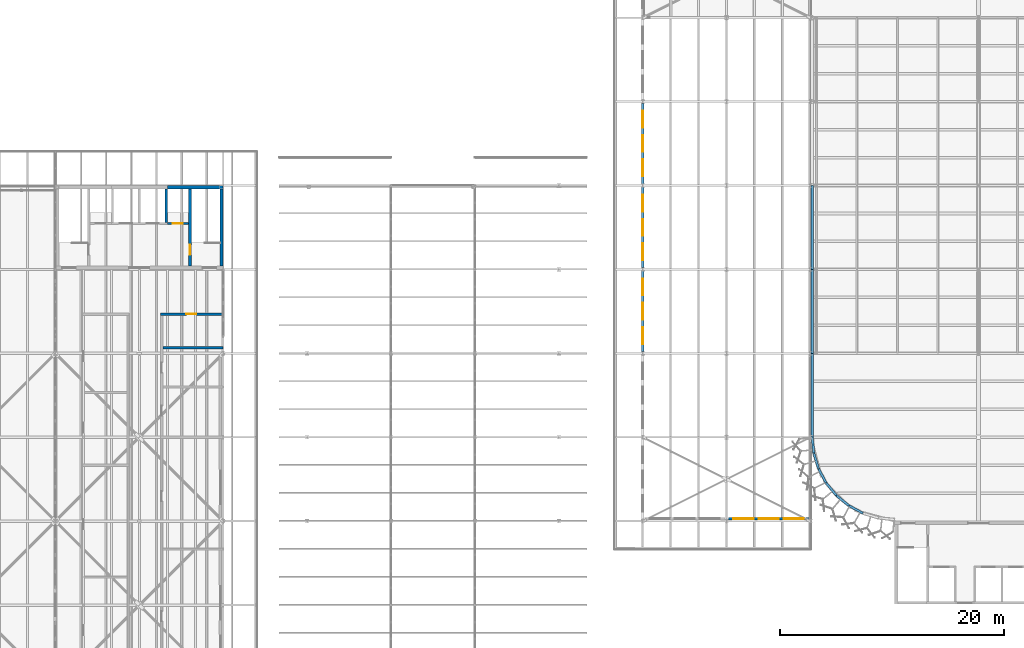
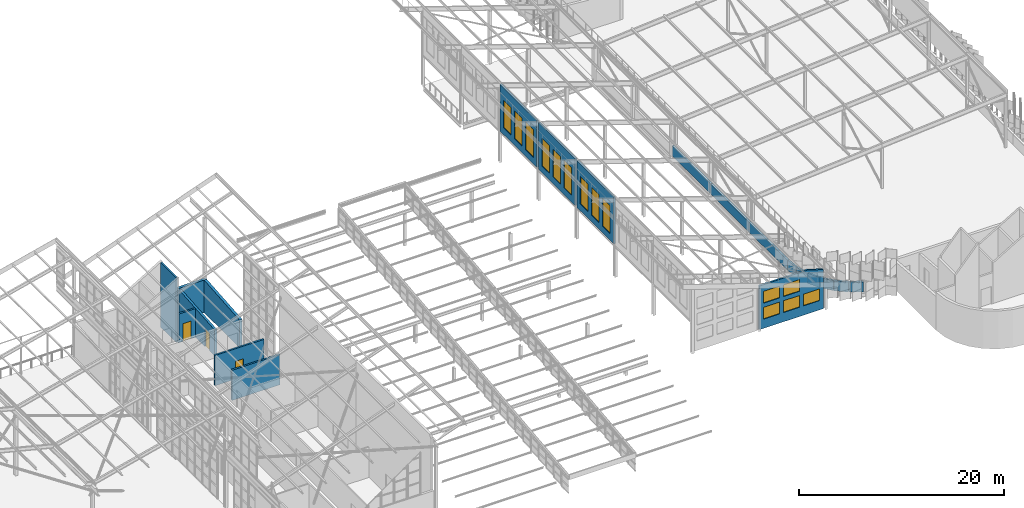
# One storey, part 121 of 483: 20 walls, 14 windows, 3 doors, 17 openings.
"""IFC4 building model written with IfcOpenShell, lengths in metres."""

from ifc_helpers import new_model, si_unit, direction, frame, frame_2d, origin, place, context, subcontext, project, spatial, polyline, rectangle, outline, extrude, material, layer, layer_set, type_object, element, fill, save


model = new_model("IFC4")

# Units and contexts
model_context = context("Model", 3, precision=1e-05, world=origin(), true_north=direction((0.0, 1.0)))
body_context = subcontext(model_context, "Body", "Model", "MODEL_VIEW")
ifc_project = project(units=[si_unit("LENGTHUNIT", "METRE"), si_unit("AREAUNIT", "SQUARE_METRE"), si_unit("VOLUMEUNIT", "CUBIC_METRE"), si_unit("PLANEANGLEUNIT", "RADIAN"), si_unit("MASSUNIT", "GRAM", prefix="KILO")], contexts=[model_context])

# Site, building, storey
site_placement = place(None, origin())
site = spatial("IfcSite", under=ifc_project, at=site_placement, CompositionType="ELEMENT")
building_placement = place(site_placement, origin())
building = spatial("IfcBuilding", under=site, at=building_placement, Name="Parallax Yard Mobility Hub", CompositionType="ELEMENT")
storey_placement = place(building_placement, frame((0.0, 0.0, 13.199951171875)))
storey = spatial("IfcBuildingStorey", under=building, at=storey_placement, Name="L04", CompositionType="ELEMENT", Elevation=13.199951171875)

# Walls
ifc_material_1 = material(Name="Concrete fc' 35 MPa", Category="concrete")
ifc_layer_1 = layer(ifc_material_1, 0.300048828125)
ifc_layer_set_1 = layer_set([ifc_layer_1], Name="Concrete fc' 35 MPa core wall 300")
wall_type_1 = type_object("IfcWallType", Name="Concrete fc' 35 MPa core wall 300", PredefinedType="SHEAR", material=ifc_layer_set_1)
wall_1_placement = place(storey_placement, frame((137.5, 52.35009765625, 0.0), z_axis=(0.0, 0.0, 1.0), x_axis=(1.0, 0.0, 0.0)))
element("IfcWall", 1, at=wall_1_placement, inside=storey, type_object=wall_type_1, Name="Core C6-E back wall part 3 level L04", PredefinedType="SHEAR", context=body_context, shape_type="SweptSolid", body=[
    extrude(rectangle(XDim=5.0, YDim=0.300048828125, at=frame_2d((2.5, 0.0))), origin(), (0.0, 0.0, 1.0), 3.875),
])
wall_2_placement = place(storey_placement, frame((142.35009765625, 52.199951171875, 0.0), z_axis=(0.0, 0.0, 1.0), x_axis=(0.0, -1.0, 0.0)))
element("IfcWall", 2, at=wall_2_placement, inside=storey, type_object=wall_type_1, Name="Core C6-E east-side end wall level L04", PredefinedType="SHEAR", context=body_context, shape_type="SweptSolid", body=[
    extrude(outline(polyline([(0.0, 0.0), (6.89990234375, 0.0), (6.89990234375, 3.300048828125), (0.0, 3.875), (0.0, 0.0)])), frame((0.0, 0.14990234375, 0.0), z_axis=(0.0, -1.0, 0.0), x_axis=(1.0, 0.0, 0.0)), (0.0, 0.0, 1.0), 0.300048828125),
])

# Wall, opening, door
ifc_layer_2 = layer(ifc_material_1, 0.199951171875)
ifc_layer_set_2 = layer_set([ifc_layer_2], Name="Concrete fc' 35 MPa internal core wall 200")
wall_type_2 = type_object("IfcWallType", Name="Concrete fc' 35 MPa internal core wall 200", PredefinedType="STANDARD", material=ifc_layer_set_2)
wall_3_placement = place(storey_placement, frame((139.39990234375, 49.10009765625, 0.0), z_axis=(0.0, 0.0, 1.0), x_axis=(-1.0, 0.0, 0.0)))
wall_3 = element("IfcWall", 3, at=wall_3_placement, inside=storey, type_object=wall_type_2, Name="Core C6-E lift front 3 part 3 level L04", PredefinedType="STANDARD", context=body_context, shape_type="SweptSolid", body=[
    extrude(rectangle(XDim=1.89990234375, YDim=0.199951171875, at=frame_2d((0.949951171875, 0.0))), origin(), (0.0, 0.0, 1.0), 3.416748046875),
])
opening_1_placement = place(wall_3_placement, frame((0.5, 0.0, 0.0)))
opening_1 = element("IfcOpeningElement", 4, at=opening_1_placement, cuts=wall_3, Name="Opening L04-D750", PredefinedType="OPENING", context=body_context, shape_type="SweptSolid", body=[
    extrude(rectangle(XDim=0.89990234375, YDim=2.10009765625, at=frame_2d((0.449951171875, 1.050048828125))), frame((0.0, 0.10986328125, 0.0), z_axis=(0.0, -1.0, 0.0), x_axis=(1.0, 0.0, 0.0)), (0.0, 0.0, 1.0), 0.219970703125),
])
ifc_material_2 = material(Name="Hollow metal steel door and frame", Category="steel")
door_type_1 = type_object("IfcDoorType", Name="Riser door 900 x 2100 FD90", OperationType="NOTDEFINED", PredefinedType="DOOR", material=ifc_material_2)
door_1_placement = place(opening_1_placement, origin())
door_1 = element("IfcDoor", 5, at=door_1_placement, inside=storey, type_object=door_type_1, Name="Riser door L04-D750, core C6-E level L04", OperationType="SINGLE_SWING_LEFT", OverallHeight=2.10009765625, OverallWidth=0.89990234375, PredefinedType="DOOR", context=body_context, shape_type="SweptSolid", body=[
    extrude(rectangle(XDim=0.89990234375, YDim=2.10009765625, at=frame_2d((0.449951171875, 1.050048828125))), frame((0.0, 0.02490234375, 0.0), z_axis=(0.0, -1.0, 0.0), x_axis=(1.0, 0.0, 0.0)), (0.0, 0.0, 1.0), 0.050048828125),
])
fill(opening_1, door_1)

# Wall
wall_4_placement = place(storey_placement, frame((137.39990234375, 49.199951171875, 0.0), z_axis=(0.0, 0.0, 1.0), x_axis=(0.0, 1.0, 0.0)))
element("IfcWall", 6, at=wall_4_placement, inside=storey, type_object=wall_type_2, Name="Core C6-E lift wall 3 part 3 level L04", PredefinedType="STANDARD", context=body_context, shape_type="SweptSolid", body=[
    extrude(rectangle(XDim=3.0, YDim=0.199951171875, at=frame_2d((1.5, 0.0))), origin(), (0.0, 0.0, 1.0), 7.679931640625),
])

# Wall, opening, door
ifc_layer_3 = layer(ifc_material_1, 0.25)
ifc_layer_set_3 = layer_set([ifc_layer_3], Name="Concrete fc' 35 MPa stair enclosure wall 250")
wall_type_3 = type_object("IfcWallType", Name="Concrete fc' 35 MPa stair enclosure wall 250", PredefinedType="STANDARD", material=ifc_layer_set_3)
wall_5_placement = place(storey_placement, frame((139.52490234375, 52.199951171875, 0.0), z_axis=(0.0, 0.0, 1.0), x_axis=(0.0, -1.0, 0.0)))
wall_5 = element("IfcWall", 7, at=wall_5_placement, inside=storey, type_object=wall_type_3, Name="Core C6-E stair 2 partition level L04", PredefinedType="STANDARD", context=body_context, shape_type="SweptSolid", body=[
    extrude(outline(polyline([(0.0, 0.0), (6.89990234375, 0.0), (6.89990234375, 3.10009765625), (0.0, 3.675048828125), (0.0, 0.0)])), frame((0.0, 0.125, 0.0), z_axis=(0.0, -1.0, 0.0), x_axis=(1.0, 0.0, 0.0)), (0.0, 0.0, 1.0), 0.25),
])
opening_2_placement = place(wall_5_placement, frame((5.0, 0.0, 0.0)))
opening_2 = element("IfcOpeningElement", 8, at=opening_2_placement, cuts=wall_5, Name="Opening L04-D746", PredefinedType="OPENING", context=body_context, shape_type="SweptSolid", body=[
    extrude(rectangle(XDim=0.89990234375, YDim=2.10009765625, at=frame_2d((0.449951171875, 1.050048828125))), frame((0.0, 0.135009765625, 0.0), z_axis=(0.0, -1.0, 0.0), x_axis=(1.0, 0.0, 0.0)), (0.0, 0.0, 1.0), 0.27001953125),
])
door_type_2 = type_object("IfcDoorType", Name="Core door 900 x 2100 FD90", OperationType="NOTDEFINED", PredefinedType="DOOR", material=ifc_material_2)
door_2_placement = place(opening_2_placement, origin())
door_2 = element("IfcDoor", 9, at=door_2_placement, inside=storey, type_object=door_type_2, Name="Stair lobby door L04-D746, core C6-E level L04", OperationType="SINGLE_SWING_RIGHT", OverallHeight=2.10009765625, OverallWidth=0.89990234375, PredefinedType="DOOR", context=body_context, shape_type="SweptSolid", body=[
    extrude(rectangle(XDim=0.89990234375, YDim=2.10009765625, at=frame_2d((0.449951171875, 1.050048828125))), frame((0.0, 0.02490234375, 0.0), z_axis=(0.0, -1.0, 0.0), x_axis=(1.0, 0.0, 0.0)), (0.0, 0.0, 1.0), 0.050048828125),
])
fill(opening_2, door_2)

# Wall
ifc_material_3 = material(Name="Fire-rated plasterboard partition, two layers each side")
ifc_layer_4 = layer(ifc_material_3, 0.199951171875)
ifc_layer_set_4 = layer_set([ifc_layer_4], Name="Fire-rated partition 200 mm")
wall_type_4 = type_object("IfcWallType", Name="Fire-rated partition 200 mm", PredefinedType="PARTITIONING", material=ifc_layer_set_4)
wall_6_placement = place(storey_placement, frame((137.10009765625, 38.0, 0.0), z_axis=(0.0, 0.0, 1.0), x_axis=(1.0, 0.0, 0.0)))
element("IfcWall", 10, at=wall_6_placement, inside=storey, type_object=wall_type_4, Name="Partition 7 level L04", PredefinedType="PARTITIONING", context=body_context, shape_type="SweptSolid", body=[
    extrude(rectangle(XDim=5.39990234375, YDim=0.199951171875, at=frame_2d((2.699951171875, 0.0))), origin(), (0.0, 0.0, 1.0), 3.60009765625),
])

# Wall, opening, door
wall_7_placement = place(storey_placement, frame((136.89990234375, 41.0, 0.0), z_axis=(0.0, 0.0, 1.0), x_axis=(1.0, 0.0, 0.0)))
wall_7 = element("IfcWall", 11, at=wall_7_placement, inside=storey, type_object=wall_type_4, Name="Partition 9 level L04", PredefinedType="PARTITIONING", context=body_context, shape_type="SweptSolid", body=[
    extrude(rectangle(XDim=5.525146484375, YDim=0.199951171875, at=frame_2d((2.7626953125, 0.0))), origin(), (0.0, 0.0, 1.0), 3.60009765625),
])
opening_3_placement = place(wall_7_placement, frame((2.300048828125, 0.0, 0.0)))
opening_3 = element("IfcOpeningElement", 12, at=opening_3_placement, cuts=wall_7, Name="Opening L04-D208", PredefinedType="OPENING", context=body_context, shape_type="SweptSolid", body=[
    extrude(rectangle(XDim=0.89990234375, YDim=2.10009765625, at=frame_2d((0.449951171875, 1.050048828125))), frame((0.0, 0.10986328125, 0.0), z_axis=(0.0, -1.0, 0.0), x_axis=(1.0, 0.0, 0.0)), (0.0, 0.0, 1.0), 0.219970703125),
])
ifc_material_4 = material(Name="Hollow metal fire door leaf with intumescent seals")
door_type_3 = type_object("IfcDoorType", Name="Fire door 900 mm FD60", OperationType="NOTDEFINED", PredefinedType="DOOR", material=ifc_material_4)
door_3_placement = place(opening_3_placement, origin())
door_3 = element("IfcDoor", 13, at=door_3_placement, inside=storey, type_object=door_type_3, Name="Door L04-D208 Accessible WC", OperationType="SINGLE_SWING_LEFT", OverallHeight=2.10009765625, OverallWidth=0.89990234375, PredefinedType="DOOR", context=body_context, shape_type="SweptSolid", body=[
    extrude(rectangle(XDim=0.89990234375, YDim=2.10009765625, at=frame_2d((0.449951171875, 1.050048828125))), frame((0.0, 0.02490234375, 0.0), z_axis=(0.0, -1.0, 0.0), x_axis=(1.0, 0.0, 0.0)), (0.0, 0.0, 1.0), 0.050048828125),
])
fill(opening_3, door_3)

# Wall, openings, windows
ifc_layer_5 = layer(ifc_material_1, 0.199951171875)
ifc_layer_set_5 = layer_set([ifc_layer_5], Name="Louvre screen wall, Concrete fc' 35 MPa precast, 200")
wall_type_5 = type_object("IfcWallType", Name="Louvre screen wall, Concrete fc' 35 MPa precast, 200", PredefinedType="SOLIDWALL", material=ifc_layer_set_5)
wall_8_placement = place(storey_placement, frame((180.0, 37.653564453125, 3.800048828125), z_axis=(0.0, 0.0, 1.0), x_axis=(0.0, 1.0, 0.0)))
wall_8 = element("IfcWall", 14, at=wall_8_placement, inside=storey, type_object=wall_type_5, Name="Ramp house west clerestory louvre band bay 3 level L04", PredefinedType="SOLIDWALL", context=body_context, shape_type="SweptSolid", body=[
    extrude(rectangle(XDim=7.19287109375, YDim=0.199951171875, at=frame_2d((3.596435546875, 0.0))), origin(), (0.0, 0.0, 1.0), 5.57421875),
])
opening_4_placement = place(wall_8_placement, frame((0.673095703125, 0.0, 0.800048828125)))
opening_4 = element("IfcOpeningElement", 15, at=opening_4_placement, cuts=wall_8, Name="Opening LV1", PredefinedType="OPENING", context=body_context, shape_type="SweptSolid", body=[
    extrude(rectangle(XDim=1.5, YDim=3.300048828125, at=frame_2d((0.75, 1.64990234375))), frame((0.0, 0.10986328125, 0.0), z_axis=(0.0, -1.0, 0.0), x_axis=(1.0, 0.0, 0.0)), (0.0, 0.0, 1.0), 0.219970703125),
])
opening_5_placement = place(wall_8_placement, frame((2.846435546875, 0.0, 0.800048828125)))
opening_5 = element("IfcOpeningElement", 16, at=opening_5_placement, cuts=wall_8, Name="Opening LV1", PredefinedType="OPENING", context=body_context, shape_type="SweptSolid", body=[
    extrude(rectangle(XDim=1.5, YDim=3.300048828125, at=frame_2d((0.75, 1.64990234375))), frame((0.0, 0.10986328125, 0.0), z_axis=(0.0, -1.0, 0.0), x_axis=(1.0, 0.0, 0.0)), (0.0, 0.0, 1.0), 0.219970703125),
])
opening_6_placement = place(wall_8_placement, frame((5.019775390625, 0.0, 0.800048828125)))
opening_6 = element("IfcOpeningElement", 17, at=opening_6_placement, cuts=wall_8, Name="Opening LV1", PredefinedType="OPENING", context=body_context, shape_type="SweptSolid", body=[
    extrude(rectangle(XDim=1.5, YDim=3.300048828125, at=frame_2d((0.75, 1.64990234375))), frame((0.0, 0.10986328125, 0.0), z_axis=(0.0, -1.0, 0.0), x_axis=(1.0, 0.0, 0.0)), (0.0, 0.0, 1.0), 0.219970703125),
])
ifc_material_5 = material(Name="Extruded aluminium storm louvre blades in a powder-coated frame", Category="aluminium")
window_type_1 = type_object("IfcWindowType", Name="Storm louvre 1500 x 3300", PartitioningType="SINGLE_PANEL", PredefinedType="WINDOW", material=ifc_material_5)
window_1_placement = place(opening_4_placement, origin())
window_1 = element("IfcWindow", 18, at=window_1_placement, inside=storey, type_object=window_type_1, Name="LV1 louvre level L04", OverallHeight=3.300048828125, OverallWidth=1.5, PartitioningType="SINGLE_PANEL", PredefinedType="WINDOW", context=body_context, shape_type="SweptSolid", body=[
    extrude(rectangle(XDim=1.5, YDim=3.300048828125, at=frame_2d((0.75, 1.64990234375))), frame((0.0, 0.030029296875, 0.0), z_axis=(0.0, -1.0, 0.0), x_axis=(1.0, 0.0, 0.0)), (0.0, 0.0, 1.0), 0.06005859375),
])
fill(opening_4, window_1)
window_2_placement = place(opening_5_placement, origin())
window_2 = element("IfcWindow", 19, at=window_2_placement, inside=storey, type_object=window_type_1, Name="LV1 louvre level L04", OverallHeight=3.300048828125, OverallWidth=1.5, PartitioningType="SINGLE_PANEL", PredefinedType="WINDOW", context=body_context, shape_type="SweptSolid", body=[
    extrude(rectangle(XDim=1.5, YDim=3.300048828125, at=frame_2d((0.75, 1.64990234375))), frame((0.0, 0.030029296875, 0.0), z_axis=(0.0, -1.0, 0.0), x_axis=(1.0, 0.0, 0.0)), (0.0, 0.0, 1.0), 0.06005859375),
])
fill(opening_5, window_2)
window_3_placement = place(opening_6_placement, origin())
window_3 = element("IfcWindow", 20, at=window_3_placement, inside=storey, type_object=window_type_1, Name="LV1 louvre level L04", OverallHeight=3.300048828125, OverallWidth=1.5, PartitioningType="SINGLE_PANEL", PredefinedType="WINDOW", context=body_context, shape_type="SweptSolid", body=[
    extrude(rectangle(XDim=1.5, YDim=3.300048828125, at=frame_2d((0.75, 1.64990234375))), frame((0.0, 0.030029296875, 0.0), z_axis=(0.0, -1.0, 0.0), x_axis=(1.0, 0.0, 0.0)), (0.0, 0.0, 1.0), 0.06005859375),
])
fill(opening_6, window_3)

wall_9_placement = place(storey_placement, frame((180.0, 45.153564453125, 3.800048828125), z_axis=(0.0, 0.0, 1.0), x_axis=(0.0, 1.0, 0.0)))
wall_9 = element("IfcWall", 21, at=wall_9_placement, inside=storey, type_object=wall_type_5, Name="Ramp house west clerestory louvre band bay 4 level L04", PredefinedType="SOLIDWALL", context=body_context, shape_type="SweptSolid", body=[
    extrude(rectangle(XDim=7.19287109375, YDim=0.199951171875, at=frame_2d((3.596435546875, 0.0))), origin(), (0.0, 0.0, 1.0), 5.57421875),
])
opening_7_placement = place(wall_9_placement, frame((0.673095703125, 0.0, 0.800048828125)))
opening_7 = element("IfcOpeningElement", 22, at=opening_7_placement, cuts=wall_9, Name="Opening LV1", PredefinedType="OPENING", context=body_context, shape_type="SweptSolid", body=[
    extrude(rectangle(XDim=1.5, YDim=3.300048828125, at=frame_2d((0.75, 1.64990234375))), frame((0.0, 0.10986328125, 0.0), z_axis=(0.0, -1.0, 0.0), x_axis=(1.0, 0.0, 0.0)), (0.0, 0.0, 1.0), 0.219970703125),
])
opening_8_placement = place(wall_9_placement, frame((2.846435546875, 0.0, 0.800048828125)))
opening_8 = element("IfcOpeningElement", 23, at=opening_8_placement, cuts=wall_9, Name="Opening LV1", PredefinedType="OPENING", context=body_context, shape_type="SweptSolid", body=[
    extrude(rectangle(XDim=1.5, YDim=3.300048828125, at=frame_2d((0.75, 1.64990234375))), frame((0.0, 0.10986328125, 0.0), z_axis=(0.0, -1.0, 0.0), x_axis=(1.0, 0.0, 0.0)), (0.0, 0.0, 1.0), 0.219970703125),
])
opening_9_placement = place(wall_9_placement, frame((5.019775390625, 0.0, 0.800048828125)))
opening_9 = element("IfcOpeningElement", 24, at=opening_9_placement, cuts=wall_9, Name="Opening LV1", PredefinedType="OPENING", context=body_context, shape_type="SweptSolid", body=[
    extrude(rectangle(XDim=1.5, YDim=3.300048828125, at=frame_2d((0.75, 1.64990234375))), frame((0.0, 0.10986328125, 0.0), z_axis=(0.0, -1.0, 0.0), x_axis=(1.0, 0.0, 0.0)), (0.0, 0.0, 1.0), 0.219970703125),
])
window_4_placement = place(opening_7_placement, origin())
window_4 = element("IfcWindow", 25, at=window_4_placement, inside=storey, type_object=window_type_1, Name="LV1 louvre level L04", OverallHeight=3.300048828125, OverallWidth=1.5, PartitioningType="SINGLE_PANEL", PredefinedType="WINDOW", context=body_context, shape_type="SweptSolid", body=[
    extrude(rectangle(XDim=1.5, YDim=3.300048828125, at=frame_2d((0.75, 1.64990234375))), frame((0.0, 0.030029296875, 0.0), z_axis=(0.0, -1.0, 0.0), x_axis=(1.0, 0.0, 0.0)), (0.0, 0.0, 1.0), 0.06005859375),
])
fill(opening_7, window_4)
window_5_placement = place(opening_8_placement, origin())
window_5 = element("IfcWindow", 26, at=window_5_placement, inside=storey, type_object=window_type_1, Name="LV1 louvre level L04", OverallHeight=3.300048828125, OverallWidth=1.5, PartitioningType="SINGLE_PANEL", PredefinedType="WINDOW", context=body_context, shape_type="SweptSolid", body=[
    extrude(rectangle(XDim=1.5, YDim=3.300048828125, at=frame_2d((0.75, 1.64990234375))), frame((0.0, 0.030029296875, 0.0), z_axis=(0.0, -1.0, 0.0), x_axis=(1.0, 0.0, 0.0)), (0.0, 0.0, 1.0), 0.06005859375),
])
fill(opening_8, window_5)
window_6_placement = place(opening_9_placement, origin())
window_6 = element("IfcWindow", 27, at=window_6_placement, inside=storey, type_object=window_type_1, Name="LV1 louvre level L04", OverallHeight=3.300048828125, OverallWidth=1.5, PartitioningType="SINGLE_PANEL", PredefinedType="WINDOW", context=body_context, shape_type="SweptSolid", body=[
    extrude(rectangle(XDim=1.5, YDim=3.300048828125, at=frame_2d((0.75, 1.64990234375))), frame((0.0, 0.030029296875, 0.0), z_axis=(0.0, -1.0, 0.0), x_axis=(1.0, 0.0, 0.0)), (0.0, 0.0, 1.0), 0.06005859375),
])
fill(opening_9, window_6)

wall_10_placement = place(storey_placement, frame((180.0, 52.653564453125, 3.800048828125), z_axis=(0.0, 0.0, 1.0), x_axis=(0.0, 1.0, 0.0)))
wall_10 = element("IfcWall", 28, at=wall_10_placement, inside=storey, type_object=wall_type_5, Name="Ramp house west clerestory louvre band bay 5 level L04", PredefinedType="SOLIDWALL", context=body_context, shape_type="SweptSolid", body=[
    extrude(rectangle(XDim=7.19287109375, YDim=0.199951171875, at=frame_2d((3.596435546875, 0.0))), origin(), (0.0, 0.0, 1.0), 5.57421875),
])
opening_10_placement = place(wall_10_placement, frame((0.673095703125, 0.0, 0.800048828125)))
opening_10 = element("IfcOpeningElement", 29, at=opening_10_placement, cuts=wall_10, Name="Opening LV1", PredefinedType="OPENING", context=body_context, shape_type="SweptSolid", body=[
    extrude(rectangle(XDim=1.5, YDim=3.300048828125, at=frame_2d((0.75, 1.64990234375))), frame((0.0, 0.10986328125, 0.0), z_axis=(0.0, -1.0, 0.0), x_axis=(1.0, 0.0, 0.0)), (0.0, 0.0, 1.0), 0.219970703125),
])
opening_11_placement = place(wall_10_placement, frame((2.846435546875, 0.0, 0.800048828125)))
opening_11 = element("IfcOpeningElement", 30, at=opening_11_placement, cuts=wall_10, Name="Opening LV1", PredefinedType="OPENING", context=body_context, shape_type="SweptSolid", body=[
    extrude(rectangle(XDim=1.5, YDim=3.300048828125, at=frame_2d((0.75, 1.64990234375))), frame((0.0, 0.10986328125, 0.0), z_axis=(0.0, -1.0, 0.0), x_axis=(1.0, 0.0, 0.0)), (0.0, 0.0, 1.0), 0.219970703125),
])
opening_12_placement = place(wall_10_placement, frame((5.019775390625, 0.0, 0.800048828125)))
opening_12 = element("IfcOpeningElement", 31, at=opening_12_placement, cuts=wall_10, Name="Opening LV1", PredefinedType="OPENING", context=body_context, shape_type="SweptSolid", body=[
    extrude(rectangle(XDim=1.5, YDim=3.300048828125, at=frame_2d((0.75, 1.64990234375))), frame((0.0, 0.10986328125, 0.0), z_axis=(0.0, -1.0, 0.0), x_axis=(1.0, 0.0, 0.0)), (0.0, 0.0, 1.0), 0.219970703125),
])
window_7_placement = place(opening_10_placement, origin())
window_7 = element("IfcWindow", 32, at=window_7_placement, inside=storey, type_object=window_type_1, Name="LV1 louvre level L04", OverallHeight=3.300048828125, OverallWidth=1.5, PartitioningType="SINGLE_PANEL", PredefinedType="WINDOW", context=body_context, shape_type="SweptSolid", body=[
    extrude(rectangle(XDim=1.5, YDim=3.300048828125, at=frame_2d((0.75, 1.64990234375))), frame((0.0, 0.030029296875, 0.0), z_axis=(0.0, -1.0, 0.0), x_axis=(1.0, 0.0, 0.0)), (0.0, 0.0, 1.0), 0.06005859375),
])
fill(opening_10, window_7)
window_8_placement = place(opening_11_placement, origin())
window_8 = element("IfcWindow", 33, at=window_8_placement, inside=storey, type_object=window_type_1, Name="LV1 louvre level L04", OverallHeight=3.300048828125, OverallWidth=1.5, PartitioningType="SINGLE_PANEL", PredefinedType="WINDOW", context=body_context, shape_type="SweptSolid", body=[
    extrude(rectangle(XDim=1.5, YDim=3.300048828125, at=frame_2d((0.75, 1.64990234375))), frame((0.0, 0.030029296875, 0.0), z_axis=(0.0, -1.0, 0.0), x_axis=(1.0, 0.0, 0.0)), (0.0, 0.0, 1.0), 0.06005859375),
])
fill(opening_11, window_8)
window_9_placement = place(opening_12_placement, origin())
window_9 = element("IfcWindow", 34, at=window_9_placement, inside=storey, type_object=window_type_1, Name="LV1 louvre level L04", OverallHeight=3.300048828125, OverallWidth=1.5, PartitioningType="SINGLE_PANEL", PredefinedType="WINDOW", context=body_context, shape_type="SweptSolid", body=[
    extrude(rectangle(XDim=1.5, YDim=3.300048828125, at=frame_2d((0.75, 1.64990234375))), frame((0.0, 0.030029296875, 0.0), z_axis=(0.0, -1.0, 0.0), x_axis=(1.0, 0.0, 0.0)), (0.0, 0.0, 1.0), 0.06005859375),
])
fill(opening_12, window_9)

wall_11_placement = place(storey_placement, frame((187.653564453125, 22.714111328125, 0.0), z_axis=(0.0, 0.0, 1.0), x_axis=(1.0, 0.0, 0.0)))
wall_11 = element("IfcWall", 35, at=wall_11_placement, inside=storey, type_object=wall_type_5, Name="Ramp house south end wall bay 2 level L04", PredefinedType="SOLIDWALL", context=body_context, shape_type="SweptSolid", body=[
    extrude(outline(polyline([(0.0, 0.0), (7.19287109375, 0.0), (7.193115234375, 4.626953125), (6.945068359375, 4.709716796875), (6.697021484375, 4.792236328125), (5.952880859375, 5.04052734375), (5.704833984375, 5.123046875), (5.456787109375, 5.205810546875), (5.208740234375, 5.20751953125), (0.0, 5.20751953125), (0.0, 0.0)])), frame((0.0, 0.10009765625, 0.0), z_axis=(0.0, -1.0, 0.0), x_axis=(1.0, 0.0, 0.0)), (0.0, 0.0, 1.0), 0.199951171875),
])
opening_13_placement = place(wall_11_placement, frame((0.4482421875, 0.0, 1.10009765625)))
opening_13 = element("IfcOpeningElement", 36, at=opening_13_placement, cuts=wall_11, Name="Opening LV2", PredefinedType="OPENING", context=body_context, shape_type="SweptSolid", body=[
    extrude(rectangle(XDim=1.800048828125, YDim=1.39990234375, at=frame_2d((0.89990234375, 0.699951171875))), frame((0.0, 0.10986328125, 0.0), z_axis=(0.0, -1.0, 0.0), x_axis=(1.0, 0.0, 0.0)), (0.0, 0.0, 1.0), 0.219970703125),
])
opening_14_placement = place(wall_11_placement, frame((2.696533203125, 0.0, 1.10009765625)))
opening_14 = element("IfcOpeningElement", 37, at=opening_14_placement, cuts=wall_11, Name="Opening LV2", PredefinedType="OPENING", context=body_context, shape_type="SweptSolid", body=[
    extrude(rectangle(XDim=1.800048828125, YDim=1.39990234375, at=frame_2d((0.89990234375, 0.699951171875))), frame((0.0, 0.10986328125, 0.0), z_axis=(0.0, -1.0, 0.0), x_axis=(1.0, 0.0, 0.0)), (0.0, 0.0, 1.0), 0.219970703125),
])
opening_15_placement = place(wall_11_placement, frame((4.944580078125, 0.0, 1.10009765625)))
opening_15 = element("IfcOpeningElement", 38, at=opening_15_placement, cuts=wall_11, Name="Opening LV2", PredefinedType="OPENING", context=body_context, shape_type="SweptSolid", body=[
    extrude(rectangle(XDim=1.800048828125, YDim=1.39990234375, at=frame_2d((0.89990234375, 0.699951171875))), frame((0.0, 0.10986328125, 0.0), z_axis=(0.0, -1.0, 0.0), x_axis=(1.0, 0.0, 0.0)), (0.0, 0.0, 1.0), 0.219970703125),
])
opening_16_placement = place(wall_11_placement, frame((0.4482421875, 0.0, 3.0)))
opening_16 = element("IfcOpeningElement", 39, at=opening_16_placement, cuts=wall_11, Name="Opening LV2", PredefinedType="OPENING", context=body_context, shape_type="SweptSolid", body=[
    extrude(rectangle(XDim=1.800048828125, YDim=1.39990234375, at=frame_2d((0.89990234375, 0.699951171875))), frame((0.0, 0.10986328125, 0.0), z_axis=(0.0, -1.0, 0.0), x_axis=(1.0, 0.0, 0.0)), (0.0, 0.0, 1.0), 0.219970703125),
])
opening_17_placement = place(wall_11_placement, frame((2.696533203125, 0.0, 3.0)))
opening_17 = element("IfcOpeningElement", 40, at=opening_17_placement, cuts=wall_11, Name="Opening LV2", PredefinedType="OPENING", context=body_context, shape_type="SweptSolid", body=[
    extrude(rectangle(XDim=1.800048828125, YDim=1.39990234375, at=frame_2d((0.89990234375, 0.699951171875))), frame((0.0, 0.10986328125, 0.0), z_axis=(0.0, -1.0, 0.0), x_axis=(1.0, 0.0, 0.0)), (0.0, 0.0, 1.0), 0.219970703125),
])
window_type_2 = type_object("IfcWindowType", Name="Screen louvre 1800 x 1400", PartitioningType="SINGLE_PANEL", PredefinedType="WINDOW", material=ifc_material_5)
window_10_placement = place(opening_13_placement, origin())
window_10 = element("IfcWindow", 41, at=window_10_placement, inside=storey, type_object=window_type_2, Name="LV2 louvre level L04", OverallHeight=1.39990234375, OverallWidth=1.800048828125, PartitioningType="SINGLE_PANEL", PredefinedType="WINDOW", context=body_context, shape_type="SweptSolid", body=[
    extrude(rectangle(XDim=1.800048828125, YDim=1.39990234375, at=frame_2d((0.89990234375, 0.699951171875))), frame((0.0, 0.030029296875, 0.0), z_axis=(0.0, -1.0, 0.0), x_axis=(1.0, 0.0, 0.0)), (0.0, 0.0, 1.0), 0.06005859375),
])
fill(opening_13, window_10)
window_11_placement = place(opening_14_placement, origin())
window_11 = element("IfcWindow", 42, at=window_11_placement, inside=storey, type_object=window_type_2, Name="LV2 louvre level L04", OverallHeight=1.39990234375, OverallWidth=1.800048828125, PartitioningType="SINGLE_PANEL", PredefinedType="WINDOW", context=body_context, shape_type="SweptSolid", body=[
    extrude(rectangle(XDim=1.800048828125, YDim=1.39990234375, at=frame_2d((0.89990234375, 0.699951171875))), frame((0.0, 0.030029296875, 0.0), z_axis=(0.0, -1.0, 0.0), x_axis=(1.0, 0.0, 0.0)), (0.0, 0.0, 1.0), 0.06005859375),
])
fill(opening_14, window_11)
window_12_placement = place(opening_15_placement, origin())
window_12 = element("IfcWindow", 43, at=window_12_placement, inside=storey, type_object=window_type_2, Name="LV2 louvre level L04", OverallHeight=1.39990234375, OverallWidth=1.800048828125, PartitioningType="SINGLE_PANEL", PredefinedType="WINDOW", context=body_context, shape_type="SweptSolid", body=[
    extrude(rectangle(XDim=1.800048828125, YDim=1.39990234375, at=frame_2d((0.89990234375, 0.699951171875))), frame((0.0, 0.030029296875, 0.0), z_axis=(0.0, -1.0, 0.0), x_axis=(1.0, 0.0, 0.0)), (0.0, 0.0, 1.0), 0.06005859375),
])
fill(opening_15, window_12)
window_13_placement = place(opening_16_placement, origin())
window_13 = element("IfcWindow", 44, at=window_13_placement, inside=storey, type_object=window_type_2, Name="LV2 louvre level L04", OverallHeight=1.39990234375, OverallWidth=1.800048828125, PartitioningType="SINGLE_PANEL", PredefinedType="WINDOW", context=body_context, shape_type="SweptSolid", body=[
    extrude(rectangle(XDim=1.800048828125, YDim=1.39990234375, at=frame_2d((0.89990234375, 0.699951171875))), frame((0.0, 0.030029296875, 0.0), z_axis=(0.0, -1.0, 0.0), x_axis=(1.0, 0.0, 0.0)), (0.0, 0.0, 1.0), 0.06005859375),
])
fill(opening_16, window_13)
window_14_placement = place(opening_17_placement, origin())
window_14 = element("IfcWindow", 45, at=window_14_placement, inside=storey, type_object=window_type_2, Name="LV2 louvre level L04", OverallHeight=1.39990234375, OverallWidth=1.800048828125, PartitioningType="SINGLE_PANEL", PredefinedType="WINDOW", context=body_context, shape_type="SweptSolid", body=[
    extrude(rectangle(XDim=1.800048828125, YDim=1.39990234375, at=frame_2d((0.89990234375, 0.699951171875))), frame((0.0, 0.030029296875, 0.0), z_axis=(0.0, -1.0, 0.0), x_axis=(1.0, 0.0, 0.0)), (0.0, 0.0, 1.0), 0.06005859375),
])
fill(opening_17, window_14)

# Walls
ifc_layer_6 = layer(ifc_material_1, 0.199951171875)
ifc_layer_set_6 = layer_set([ifc_layer_6], Name="Roof parapet wall, Concrete fc' 35 MPa precast, 200")
wall_type_6 = type_object("IfcWallType", Name="Roof parapet wall, Concrete fc' 35 MPa precast, 200", PredefinedType="SOLIDWALL", material=ifc_layer_set_6)
for number, where, z_axis, x_axis, name in (
    (46, (195.14599609375, 52.49755859375, 0.0), (0.0, 0.0, 1.0), (0.0, -1.0, 0.0), "Roof parapet wall bay 27 level L04"),
    (47, (195.14599609375, 44.99755859375, 0.0), (0.0, 0.0, 1.0), (0.0, -1.0, 0.0), "Roof parapet wall bay 28 level L04"),
):
    element("IfcWall", number, at=place(storey_placement, frame(where, z_axis=z_axis, x_axis=x_axis)), inside=storey, type_object=wall_type_6, Name=name, PredefinedType="SOLIDWALL", context=body_context, shape_type="SweptSolid", body=[
        extrude(rectangle(XDim=7.495849609375, YDim=0.199951171875, at=frame_2d((3.748046875, 0.0))), origin(), (0.0, 0.0, 1.0), 1.199951171875),
    ])
wall_12_placement = place(storey_placement, frame((195.14599609375, 37.49755859375, 0.0), z_axis=(0.0, 0.0, 1.0), x_axis=(0.0, -1.0, 0.0)))
element("IfcWall", 48, at=wall_12_placement, inside=storey, type_object=wall_type_6, Name="Roof parapet wall bay 29 level L04", PredefinedType="SOLIDWALL", context=body_context, shape_type="SweptSolid", body=[
    extrude(rectangle(XDim=7.48583984375, YDim=0.199951171875, at=frame_2d((3.742919921875, 0.0))), origin(), (0.0, 0.0, 1.0), 1.199951171875),
])
wall_13_placement = place(storey_placement, frame((195.146484375, 30.001953125, 0.0), z_axis=(0.0, 0.0, 1.0), x_axis=(0.098118225335, -0.995174765484, 0.0)))
element("IfcWall", 49, at=wall_13_placement, inside=storey, type_object=wall_type_6, Name="Roof parapet wall bay 30-1 level L04", PredefinedType="SOLIDWALL", context=body_context, shape_type="SweptSolid", body=[
    extrude(rectangle(XDim=1.4306640625, YDim=0.199951171875, at=frame_2d((0.71533203125, 0.0))), origin(), (0.0, 0.0, 1.0), 1.199951171875),
])
wall_14_placement = place(storey_placement, frame((195.29150390625, 28.5537109375, 0.0), z_axis=(0.0, 0.0, 1.0), x_axis=(0.290351922479, -0.956919934536, 0.0)))
element("IfcWall", 50, at=wall_14_placement, inside=storey, type_object=wall_type_6, Name="Roof parapet wall bay 30-2 level L04", PredefinedType="SOLIDWALL", context=body_context, shape_type="SweptSolid", body=[
    extrude(rectangle(XDim=1.416015625, YDim=0.199951171875, at=frame_2d((0.7080078125, 0.0))), origin(), (0.0, 0.0, 1.0), 1.199951171875),
])
for number, where, z_axis, x_axis, name in (
    (51, (195.712158203125, 27.17578125, 0.0), (0.0, 0.0, 1.0), (0.471259334775, -0.881994693514, 0.0), "Roof parapet wall bay 30-3 level L04"),
    (52, (196.393310546875, 25.906494140625, 0.0), (0.0, 0.0, 1.0), (0.634195056408, -0.773173092152, 0.0), "Roof parapet wall bay 30-4 level L04"),
):
    element("IfcWall", number, at=place(storey_placement, frame(where, z_axis=z_axis, x_axis=x_axis)), inside=storey, type_object=wall_type_6, Name=name, PredefinedType="SOLIDWALL", context=body_context, shape_type="SweptSolid", body=[
        extrude(rectangle(XDim=1.415771484375, YDim=0.199951171875, at=frame_2d((0.7080078125, 0.0))), origin(), (0.0, 0.0, 1.0), 1.199951171875),
    ])
wall_15_placement = place(storey_placement, frame((197.30859375, 24.794189453125, 0.0), z_axis=(0.0, 0.0, 1.0), x_axis=(0.772850054883, -0.634588679908, 0.0)))
element("IfcWall", 53, at=wall_15_placement, inside=storey, type_object=wall_type_6, Name="Roof parapet wall bay 30-5 level L04", PredefinedType="SOLIDWALL", context=body_context, shape_type="SweptSolid", body=[
    extrude(rectangle(XDim=1.416259765625, YDim=0.199951171875, at=frame_2d((0.7080078125, 0.0))), origin(), (0.0, 0.0, 1.0), 1.199951171875),
])
wall_16_placement = place(storey_placement, frame((198.423583984375, 23.8818359375, 0.0), z_axis=(0.0, 0.0, 1.0), x_axis=(0.881741280155, -0.471733309054, 0.0)))
element("IfcWall", 54, at=wall_16_placement, inside=storey, type_object=wall_type_6, Name="Roof parapet wall bay 30-6 level L04", PredefinedType="SOLIDWALL", context=body_context, shape_type="SweptSolid", body=[
    extrude(rectangle(XDim=1.416015625, YDim=0.199951171875, at=frame_2d((0.7080078125, 0.0))), origin(), (0.0, 0.0, 1.0), 1.199951171875),
])

save(model, "model.ifc")
